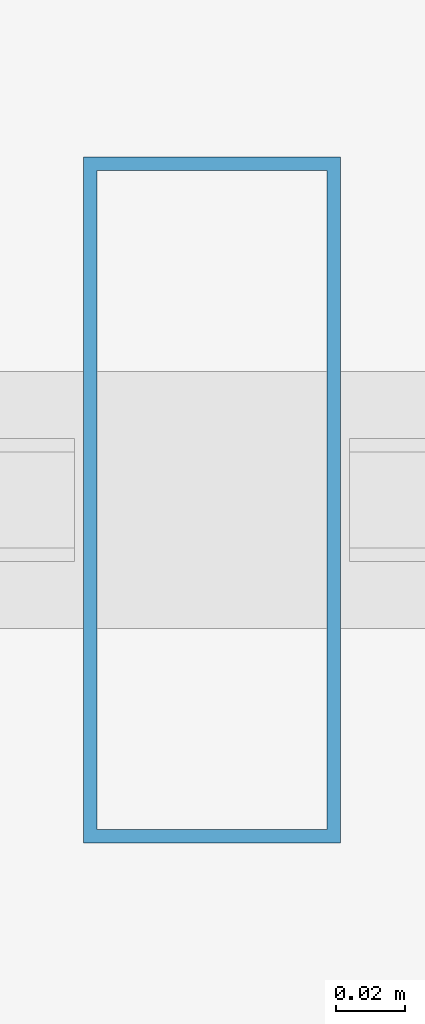
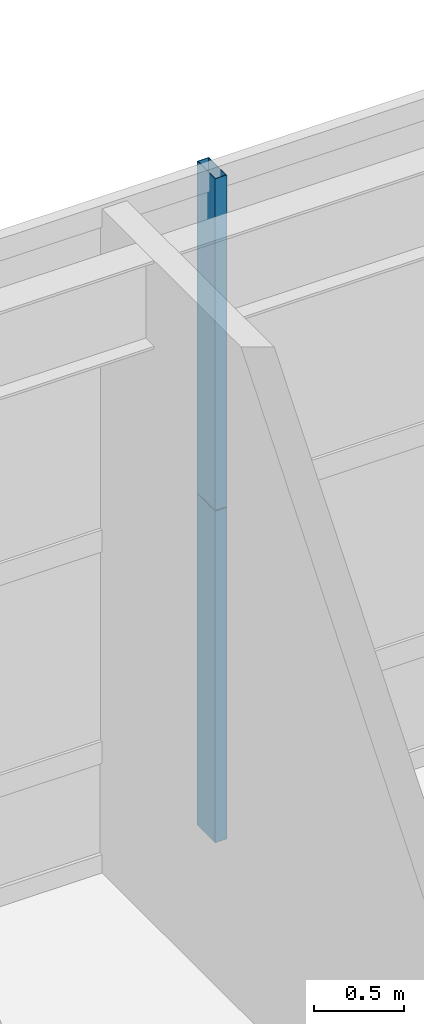
# One storey, part 25 of 38: 2 members, 1 element without a shape of its own.
"""IFC4 building model written with IfcOpenShell, lengths in metres."""

from ifc_helpers import new_model, si_unit, direction, frame, origin, origin_2d, place, context, subcontext, project, spatial, hollow_rectangle, extrude, source, transform, mapped, material, layer, layer_set, material_profile, profile_set, type_object, element, aggregate, save


model = new_model("IFC4")

# Units and contexts
model_context = context("Model", 3, precision=1e-05, world=origin(), true_north=direction((0.0, 1.0)))
body_context = subcontext(model_context, "Body", "Model", "MODEL_VIEW")
ifc_project = project(units=[si_unit("LENGTHUNIT", "METRE"), si_unit("AREAUNIT", "SQUARE_METRE"), si_unit("VOLUMEUNIT", "CUBIC_METRE"), si_unit("PLANEANGLEUNIT", "RADIAN"), si_unit("MASSUNIT", "GRAM", prefix="KILO"), si_unit("THERMODYNAMICTEMPERATUREUNIT", "KELVIN"), si_unit("POWERUNIT", "WATT")], contexts=[model_context])

# Site, building, storey
site_placement = place(None, origin())
site = spatial("IfcSite", under=ifc_project, at=site_placement, CompositionType="ELEMENT")
building_placement = place(site_placement, origin())
building = spatial("IfcBuilding", under=site, at=building_placement, Name="Yuzanri Waterfront Tower", CompositionType="ELEMENT")
storey_placement = place(building_placement, frame((0.0, 0.0, 10.199951171875)))
storey = spatial("IfcBuildingStorey", under=building, at=storey_placement, Name="L03", CompositionType="ELEMENT", Elevation=10.199951171875)

# Curtain wall, members
ifc_material_1 = material(Name="Anodized Architectural Bronze", Category="metal")
ifc_layer = layer(ifc_material_1, 0.159912109375)
ifc_layer_set = layer_set([ifc_layer], Name="Anodized Architectural Bronze")
curtain_wall_type = type_object("IfcCurtainWallType", Name="Anodized Bronze Podium Waterfront Double-Height Unitized Curtain Wall 8400", PredefinedType="NOTDEFINED", material=ifc_layer_set)
curtain_wall_placement = place(storey_placement, origin())
curtain_wall = element("IfcCurtainWall", 1, at=curtain_wall_placement, inside=storey, type_object=curtain_wall_type, Name="L03 Curtain Wall CW-L03-N2", PredefinedType="NOTDEFINED")
ifc_material_2 = material(Name="Anodized Architectural Bronze", Category="metal")
ifc_material_profile = material_profile(ifc_material_2, hollow_rectangle(XDim=0.074951171875, YDim=0.199951171875, WallThickness=0.00390625, at=origin_2d()), Name="CWM 75x200")
ifc_profile_set = profile_set([ifc_material_profile], Name="Anodized Architectural Bronze")
member_type = type_object("IfcMemberType", Name="Anodized Bronze Primary Curtain-Wall Mullion 75x200", PredefinedType="MULLION", material=ifc_profile_set)
shared_shape = source(origin(), body_context, "Body", "SweptSolid", [
    extrude(hollow_rectangle(XDim=0.074951171875, YDim=0.199951171875, WallThickness=0.00390625, at=origin_2d()), origin(), (0.0, 0.0, 1.0), 2.258056640625),
])
member_1_placement = place(storey_placement, frame((47.75, 49.6201171875, 0.0), z_axis=(0.0, 0.0, 1.0), x_axis=(1.0, 0.0, 0.0)))
member_1 = element("IfcMember", 2, at=member_1_placement, type_object=member_type, Name="CW-L03-N2 Lower Mullion 01", PredefinedType="MULLION", context=body_context, shape_type="MappedRepresentation", body=[
    mapped(shared_shape, transform((0.0, 0.0, 0.0), scale=1.0)),
])
member_2_placement = place(storey_placement, frame((47.75, 49.6201171875, 2.261962890625), z_axis=(0.0, 0.0, 1.0), x_axis=(1.0, 0.0, 0.0)))
member_2 = element("IfcMember", 3, at=member_2_placement, type_object=member_type, Name="CW-L03-N2 Upper Mullion 01", PredefinedType="MULLION", context=body_context, shape_type="MappedRepresentation", body=[
    mapped(shared_shape, transform((0.0, 0.0, 0.0), scale=1.0)),
])
aggregate(curtain_wall, [member_1, member_2])

save(model, "model.ifc")
